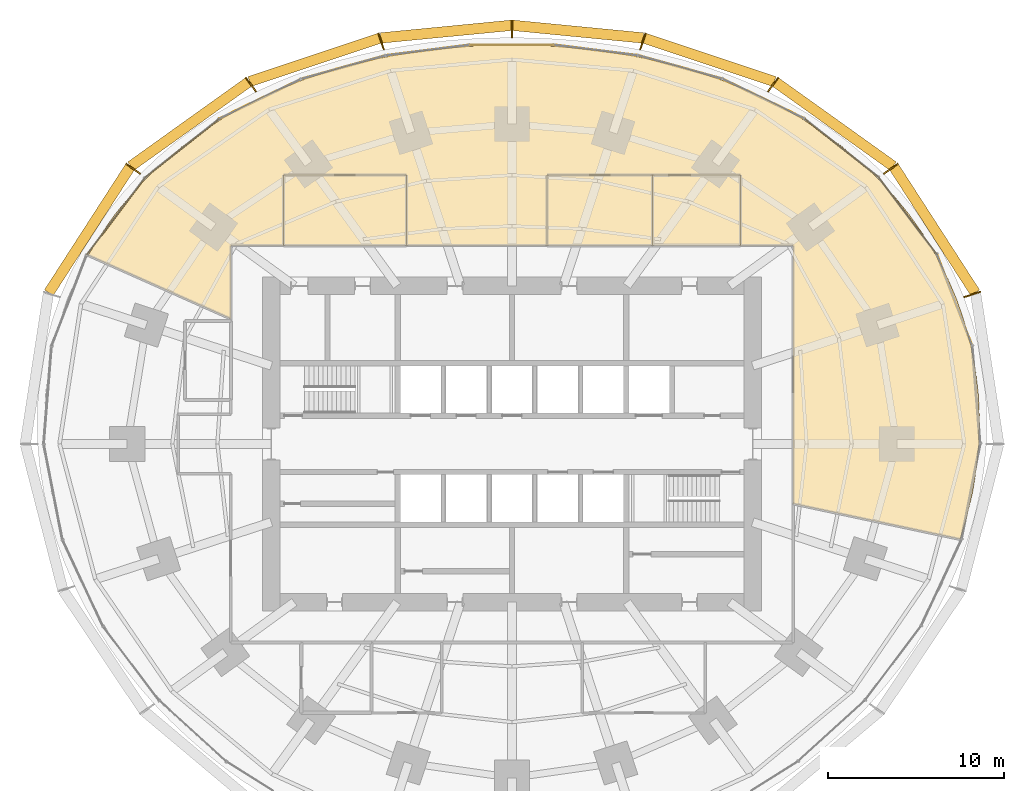
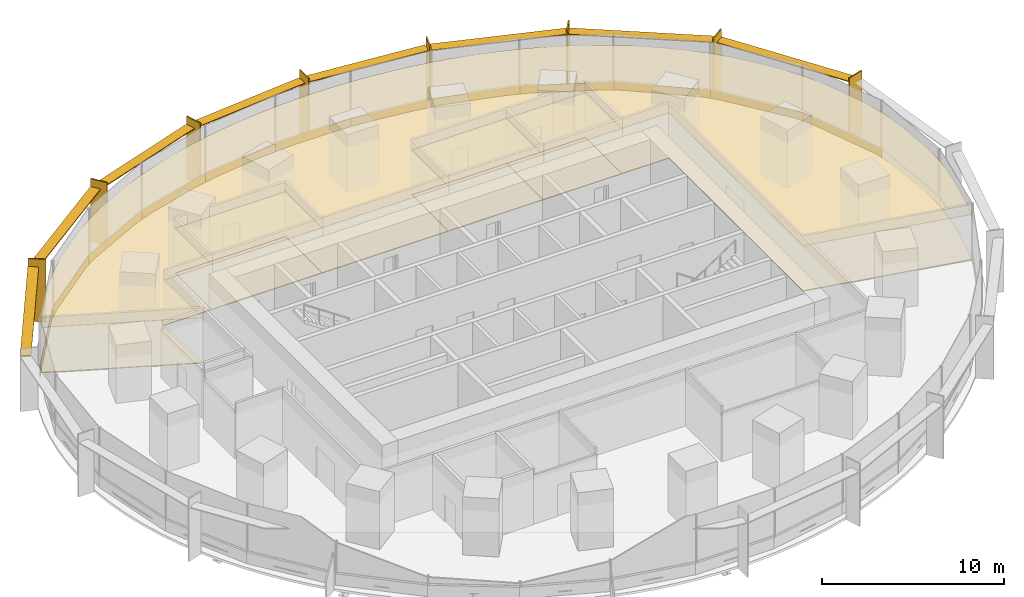
# One storey, part 15 of 15: 20 coverings, 16 shading devices.
"""IFC4 building model written with IfcOpenShell, lengths in metres."""

import ifcopenshell
import ifcopenshell.guid

model = None  # the IFC model being written
_history = None  # IfcOwnerHistory: only IFC2X3 demands one
_inside = {}  # id of a spatial element -> (the spatial element, [elements in it])
_under = {}  # id of a project, library or spatial element -> (it, [spatial elements below it])
_declared = {}  # id of a project -> (the project, [libraries it declares])
_typed = {}  # id of a type object -> (the type object, [elements of that type])
_made_of = {}  # id of a material, layer set ... -> (it, [elements and type objects made of it])


def new_model(schema):
    """Start an empty IFC model of exactly this schema.

    Asked for "IFC4X3", IfcOpenShell would pick the latest addendum, in which some entities
    have other attributes; the version numbers below select the first issue.
    IFC2X3 requires an IfcOwnerHistory on every rooted entity: one is made here for all.
    """
    global model, _history
    if schema == "IFC4X3":
        model = ifcopenshell.file(schema_version=(4, 3, 0, 0))
    else:
        model = ifcopenshell.file(schema=schema)
    _inside.clear()
    _under.clear()
    _declared.clear()
    _typed.clear()
    _made_of.clear()
    _history = None
    if model.schema == "IFC2X3":
        org = make("IfcOrganization", Name="unknown")
        user = make(
            "IfcPersonAndOrganization",
            ThePerson=make("IfcPerson", FamilyName="unknown"),
            TheOrganization=org,
        )
        app = make(
            "IfcApplication",
            ApplicationDeveloper=org,
            Version="unknown",
            ApplicationFullName="unknown",
            ApplicationIdentifier="unknown",
        )
        _history = make(
            "IfcOwnerHistory",
            OwningUser=user,
            OwningApplication=app,
            ChangeAction="ADDED",
            CreationDate=0,
        )
    return model


def make(cls, **values):
    """One entity of the class cls with the attributes given. An attribute that is None is left unset."""
    return model.create_entity(
        cls, **{name: value for name, value in values.items() if value is not None}
    )


def rooted(cls, **values):
    """An entity with a GlobalId (a new one), such as an element, a storey or a relation."""
    return make(cls, GlobalId=ifcopenshell.guid.new(), OwnerHistory=_history, **values)


def si_unit(unit_type, name, prefix=None):
    """IfcSIUnit, for example si_unit("LENGTHUNIT", "METRE", prefix="MILLI")."""
    return make("IfcSIUnit", UnitType=unit_type, Prefix=prefix, Name=name)


def assignment(units):
    """IfcUnitAssignment: the units of a project."""
    return None if units is None else make("IfcUnitAssignment", Units=units)


def point(xyz):
    """IfcCartesianPoint."""
    return None if xyz is None else make("IfcCartesianPoint", Coordinates=xyz)


def direction(xyz):
    """IfcDirection."""
    return None if xyz is None else make("IfcDirection", DirectionRatios=xyz)


def frame(location, z_axis=None, x_axis=None):
    """IfcAxis2Placement3D, a coordinate frame: its origin and axes. An axis left out is left unset."""
    return make(
        "IfcAxis2Placement3D",
        Location=point(location),
        Axis=direction(z_axis),
        RefDirection=direction(x_axis),
    )


def frame_2d(location, x_axis=None):
    """IfcAxis2Placement2D, a coordinate frame in the plane: its origin and x axis."""
    return make(
        "IfcAxis2Placement2D", Location=point(location), RefDirection=direction(x_axis)
    )


def origin():
    """The frame at (0, 0, 0) with its axes left unset."""
    return frame((0.0, 0.0, 0.0))


def origin_2d():
    """The frame at (0, 0) in the plane with its x axis left unset."""
    return frame_2d((0.0, 0.0))


def place(relative_to, where):
    """IfcLocalPlacement: puts the frame where relative to a parent placement (None: the world)."""
    return make(
        "IfcLocalPlacement", PlacementRelTo=relative_to, RelativePlacement=where
    )


def context(
    kind, dimensions, precision=None, world=None, true_north=None, identifier=None
):
    """IfcGeometricRepresentationContext, for example the 3D "Model" context."""
    return make(
        "IfcGeometricRepresentationContext",
        ContextIdentifier=identifier,
        ContextType=kind,
        CoordinateSpaceDimension=dimensions,
        Precision=precision,
        WorldCoordinateSystem=world,
        TrueNorth=true_north,
    )


def subcontext(parent, identifier, kind, view, scale=None):
    """IfcGeometricRepresentationSubContext, for example "Body" below "Model"."""
    return make(
        "IfcGeometricRepresentationSubContext",
        ContextIdentifier=identifier,
        ContextType=kind,
        ParentContext=parent,
        TargetScale=scale,
        TargetView=view,
    )


def project(units=None, contexts=None):
    """IfcProject with its units and contexts."""
    return rooted(
        "IfcProject",
        Name="project",
        RepresentationContexts=contexts,
        UnitsInContext=assignment(units),
    )


def spatial(cls, under=None, at=None, **own):
    """A site, building, storey or space (cls), placed at a placement, below another one or the project."""
    s = rooted(cls, ObjectPlacement=at, **own)
    if under is not None:
        _under.setdefault(under.id(), (under, []))[1].append(s)
    return s


def polyline(points):
    """IfcPolyline through the points."""
    return make("IfcPolyline", Points=[point(p) for p in points])


def profile(cls, at=None, kind="AREA", **sizes):
    """A parametric profile (cls). Its sizes go by their IFC names, for example OverallWidth=200.0."""
    return make(cls, ProfileType=kind, Position=at, **sizes)


def rectangle(**sizes):
    """IfcRectangleProfileDef."""
    return profile("IfcRectangleProfileDef", **sizes)


def outline(outer, holes=None, kind="AREA"):
    """IfcArbitraryClosedProfileDef: a profile drawn as a closed curve; with holes, ...WithVoids."""
    if holes is None:
        return make("IfcArbitraryClosedProfileDef", ProfileType=kind, OuterCurve=outer)
    return make(
        "IfcArbitraryProfileDefWithVoids",
        ProfileType=kind,
        OuterCurve=outer,
        InnerCurves=holes,
    )


def extrude(swept, where, along, depth):
    """IfcExtrudedAreaSolid: the profile swept, set in the frame where, extruded along a direction by depth."""
    return make(
        "IfcExtrudedAreaSolid",
        SweptArea=swept,
        Position=where,
        ExtrudedDirection=direction(along),
        Depth=depth,
    )


def shape(context_of_items, identifier, shape_type, items):
    """IfcShapeRepresentation: the items that make up one representation, for example the "Body"."""
    return make(
        "IfcShapeRepresentation",
        ContextOfItems=context_of_items,
        RepresentationIdentifier=identifier,
        RepresentationType=shape_type,
        Items=items,
    )


def material(Name=None, Category=None):
    """IfcMaterial."""
    return make("IfcMaterial", Name=Name, Category=Category)


def layer(
    of_material, thickness, ventilated=None, Name=None, Category=None, Priority=None
):
    """IfcMaterialLayer: one layer of a wall or slab, of a material (None: an air gap)."""
    return make(
        "IfcMaterialLayer",
        Material=of_material,
        LayerThickness=thickness,
        IsVentilated=ventilated,
        Name=Name,
        Category=Category,
        Priority=Priority,
    )


def layer_set(layers, Name=None):
    """IfcMaterialLayerSet."""
    return make("IfcMaterialLayerSet", MaterialLayers=layers, LayerSetName=Name)


def made_of(thing, what):
    """Note that an element or type object is made of a material, layer set ...; save() writes the relation."""
    if what is not None:
        _made_of.setdefault(what.id(), (what, []))[1].append(thing)
    return thing


def type_object(cls, material=None, **own):
    """A type object (cls), such as IfcWallType, which elements share."""
    return made_of(rooted(cls, **own), material)


def element(
    cls,
    number,
    at=None,
    inside=None,
    cuts=None,
    type_object=None,
    material=None,
    context=None,
    identifier="Body",
    shape_type=None,
    held_by="IfcProductDefinitionShape",
    body=None,
    shapes=None,
    **own,
):
    """One element of the class cls, such as IfcWall. Its Tag is "e" and its number.

    at: its placement. inside: the storey or other place that contains it. cuts: it is an
    opening in that element (IfcRelVoidsElement). A single representation is given by context,
    identifier, shape_type and body (its items); several are given by shapes. held_by: the class
    of the entity that holds the representations. save() writes the other relations.
    """
    e = rooted(cls, Tag="e%d" % number, ObjectPlacement=at, **own)
    if body is not None:
        shapes = [shape(context, identifier, shape_type, body)]
    if shapes is not None:
        e.Representation = make(held_by, Representations=shapes)
    if inside is not None:
        _inside.setdefault(inside.id(), (inside, []))[1].append(e)
    if cuts is not None:
        rooted(
            "IfcRelVoidsElement", RelatingBuildingElement=cuts, RelatedOpeningElement=e
        )
    if type_object is not None:
        _typed.setdefault(type_object.id(), (type_object, []))[1].append(e)
    return made_of(e, material)


def aggregate(whole, parts):
    """IfcRelAggregates: a whole, such as a stair, and the parts it consists of."""
    return rooted("IfcRelAggregates", RelatingObject=whole, RelatedObjects=parts)


def save(model, path):
    """Write the relations noted so far, then the file.

    IfcRelAggregates (storeys below a building ...), IfcRelContainedInSpatialStructure (elements
    in a storey), IfcRelDefinesByType, IfcRelAssociatesMaterial and IfcRelDeclares: one each for
    every whole, place, type object, material and project.
    """
    for whole, parts in _under.values():
        aggregate(whole, parts)
    for where, things in _inside.values():
        rooted(
            "IfcRelContainedInSpatialStructure",
            RelatedElements=things,
            RelatingStructure=where,
        )
    for kind, things in _typed.values():
        rooted("IfcRelDefinesByType", RelatedObjects=things, RelatingType=kind)
    for what, things in _made_of.values():
        rooted("IfcRelAssociatesMaterial", RelatedObjects=things, RelatingMaterial=what)
    for by, libraries in _declared.values():
        rooted("IfcRelDeclares", RelatingContext=by, RelatedDefinitions=libraries)
    model.write(path)


model = new_model("IFC4")

# Units and contexts
model_context = context("Model", 3, precision=1e-05, world=origin(), true_north=direction((0.0, 1.0)))
body_context = subcontext(model_context, "Body", "Model", "MODEL_VIEW")
ifc_project = project(units=[si_unit("LENGTHUNIT", "METRE"), si_unit("AREAUNIT", "SQUARE_METRE"), si_unit("VOLUMEUNIT", "CUBIC_METRE"), si_unit("PLANEANGLEUNIT", "RADIAN"), si_unit("MASSUNIT", "GRAM", prefix="KILO")], contexts=[model_context])

# Site, building, storey
site_placement = place(None, origin())
site = spatial("IfcSite", under=ifc_project, at=site_placement, CompositionType="ELEMENT")
building_placement = place(site_placement, origin())
building = spatial("IfcBuilding", under=site, at=building_placement, Name="Marramba Exchange Tower", CompositionType="ELEMENT")
storey_placement = place(building_placement, frame((0.0, 0.0, 40.60009765625)))
storey = spatial("IfcBuildingStorey", under=building, at=storey_placement, Name="L09", CompositionType="ELEMENT", Elevation=40.60009765625)

# Shading devices
ifc_material_1 = material(Name="Aluminium blade, timber-look bronze finish", Category="wood")
ifc_layer_1 = layer(ifc_material_1, 0.080078125)
ifc_layer_set_1 = layer_set([ifc_layer_1], Name="Floor-edge blade 1000x80")
shading_device_type_1 = type_object("IfcShadingDeviceType", Name="Floor-edge blade 1000x80", PredefinedType="USERDEFINED", material=ifc_layer_set_1)
for number, where, z_axis, x_axis, name in (
    (1, (26.193115234375, 8.5107421875, -0.16015625), (0.0, 0.0, 1.0), (0.951056516295, 0.309016994375, 0.0), "Floor-edge blade FB1 L09 TC02"),
    (2, (21.56298828125, 15.66650390625, -0.16015625), (0.0, 0.0, 1.0), (0.809016994375, 0.587785252292, 0.0), "Floor-edge blade FB1 L09 TC03"),
    (3, (14.857666015625, 20.449951171875, -0.16015625), (0.0, 0.0, 1.0), (0.587785252292, 0.809016994375, 0.0), "Floor-edge blade FB1 L09 TC04"),
    (4, (7.444091796875, 22.910888671875, -0.16015625), (0.0, 0.0, 1.0), (0.309016994375, 0.951056516295, 0.0), "Floor-edge blade FB1 L09 TC05"),
    (5, (0.0, 23.6279296875, -0.16015625), (0.0, 0.0, 1.0), (0.0, 1.0, 0.0), "Floor-edge blade FB1 L09 TC06"),
    (6, (-7.444091796875, 22.910888671875, -0.16015625), (0.0, 0.0, 1.0), (-0.309016994375, 0.951056516295, 0.0), "Floor-edge blade FB1 L09 TC07"),
    (7, (-14.857666015625, 20.449951171875, -0.16015625), (0.0, 0.0, 1.0), (-0.587785252292, 0.809016994375, 0.0), "Floor-edge blade FB1 L09 TC08"),
    (8, (-21.56298828125, 15.66650390625, -0.16015625), (0.0, 0.0, 1.0), (-0.809016994375, 0.587785252292, 0.0), "Floor-edge blade FB1 L09 TC09"),
):
    element("IfcShadingDevice", number, at=place(storey_placement, frame(where, z_axis=z_axis, x_axis=x_axis)), inside=storey, type_object=shading_device_type_1, Name=name, ObjectType="FIN", PredefinedType="USERDEFINED", context=body_context, shape_type="SweptSolid", body=[
        extrude(rectangle(XDim=1.0, YDim=0.080078125, at=origin_2d()), origin(), (0.0, 0.0, 1.0), 4.199951171875),
    ])

# Coverings
ifc_material_2 = material(Name="Steel raised access floor panels", Category="steel")
ifc_layer_2 = layer(ifc_material_2, 0.050048828125)
ifc_layer_set_2 = layer_set([ifc_layer_2], Name="Raised access floor 300")
covering_type_1 = type_object("IfcCoveringType", Name="Raised access floor 300", PredefinedType="FLOORING", material=ifc_layer_set_2)
covering_1_placement = place(storey_placement, frame((0.0, 0.0, 0.25)))
element("IfcCovering", 9, at=covering_1_placement, inside=storey, type_object=covering_type_1, Name="Raised access floor RAF1 L09 Trading Floor 1", PredefinedType="FLOORING", context=body_context, shape_type="SweptSolid", body=[
    extrude(outline(polyline([(13.0, 11.300048828125), (13.0, 15.300048828125), (8.0, 15.300048828125), (2.0, 15.300048828125), (2.0, 11.300048828125), (-6.0, 11.300048828125), (-6.0, 15.300048828125), (-13.0, 15.300048828125), (-13.0, 11.300048828125), (-16.0, 11.300048828125), (-16.0, 7.123779296875), (-24.12353515625, 10.740478515625), (-23.40380859375, 11.9248046875), (-22.607177734375, 13.05224609375), (-21.740478515625, 14.118408203125), (-20.810791015625, 15.119873046875), (-19.8251953125, 16.05419921875), (-18.791259765625, 16.919677734375), (-17.71630859375, 17.71630859375), (-16.60693359375, 18.44384765625), (-15.4697265625, 19.103759765625), (-14.31103515625, 19.697509765625), (-13.135986328125, 20.2275390625), (-11.94921875, 20.69677734375), (-10.755126953125, 21.10791015625), (-9.556640625, 21.464599609375), (-8.356689453125, 21.76953125), (-7.15673828125, 22.0263671875), (-5.95849609375, 22.23779296875), (-4.7626953125, 22.406982421875), (-3.5693359375, 22.535888671875), (-2.378173828125, 22.62646484375), (-1.188720703125, 22.68017578125), (0.0, 22.697998046875), (1.188720703125, 22.68017578125), (2.378173828125, 22.62646484375), (3.5693359375, 22.535888671875), (4.7626953125, 22.406982421875), (5.95849609375, 22.23779296875), (7.15673828125, 22.0263671875), (8.356689453125, 21.76953125), (9.556640625, 21.464599609375), (10.755126953125, 21.10791015625), (11.94921875, 20.69677734375), (13.135986328125, 20.2275390625), (14.31103515625, 19.697509765625), (15.4697265625, 19.103759765625), (16.60693359375, 18.44384765625), (17.71630859375, 17.71630859375), (18.791259765625, 16.919677734375), (19.8251953125, 16.05419921875), (20.810791015625, 15.119873046875), (21.740478515625, 14.118408203125), (22.607177734375, 13.05224609375), (23.40380859375, 11.9248046875), (24.12353515625, 10.740478515625), (24.76025390625, 9.50439453125), (25.30859375, 8.22314453125), (25.763916015625, 6.9033203125), (26.123291015625, 5.552734375), (26.3837890625, 4.1787109375), (26.544921875, 2.7900390625), (26.6064453125, 1.394287109375), (26.570068359375, 0.0), (26.43798828125, -1.385498046875), (26.213623046875, -2.755126953125), (25.9013671875, -4.102294921875), (25.50634765625, -5.421630859375), (16.0, -3.40087890625), (16.0, 11.300048828125), (13.0, 11.300048828125)])), origin(), (0.0, 0.0, 1.0), 0.0498046875),
])
covering_2_placement = place(storey_placement, frame((0.0, 0.0, 0.25)))
element("IfcCovering", 10, at=covering_2_placement, inside=storey, type_object=covering_type_1, Name="Raised access floor RAF1 L09 Meeting Room 1", PredefinedType="FLOORING", context=body_context, shape_type="SweptSolid", body=[
    extrude(outline(polyline([(8.0, 11.300048828125), (2.0, 11.300048828125), (2.0, 15.300048828125), (8.0, 15.300048828125), (8.0, 11.300048828125)])), origin(), (0.0, 0.0, 1.0), 0.0498046875),
])
covering_3_placement = place(storey_placement, frame((0.0, 0.0, 0.25)))
element("IfcCovering", 11, at=covering_3_placement, inside=storey, type_object=covering_type_1, Name="Raised access floor RAF1 L09 Data Room 1", PredefinedType="FLOORING", context=body_context, shape_type="SweptSolid", body=[
    extrude(outline(polyline([(13.0, 11.300048828125), (8.0, 11.300048828125), (8.0, 15.300048828125), (13.0, 15.300048828125), (13.0, 11.300048828125)])), origin(), (0.0, 0.0, 1.0), 0.0498046875),
])
covering_4_placement = place(storey_placement, frame((0.0, 0.0, 0.25)))
element("IfcCovering", 12, at=covering_4_placement, inside=storey, type_object=covering_type_1, Name="Raised access floor RAF1 L09 Meeting Room 2", PredefinedType="FLOORING", context=body_context, shape_type="SweptSolid", body=[
    extrude(outline(polyline([(-6.0, 11.300048828125), (-13.0, 11.300048828125), (-13.0, 15.300048828125), (-6.0, 15.300048828125), (-6.0, 11.300048828125)])), origin(), (0.0, 0.0, 1.0), 0.0498046875),
])

# Shading devices
ifc_material_3 = material(Name="Aluminium sunshade, bronze anodised", Category="aluminium")
ifc_layer_3 = layer(ifc_material_3, 0.06005859375)
ifc_layer_set_3 = layer_set([ifc_layer_3], Name="SUNSHADE blade 600x60")
shading_device_type_2 = type_object("IfcShadingDeviceType", Name="SUNSHADE blade 600x60", PredefinedType="USERDEFINED", material=ifc_layer_set_3)
shading_device_1_placement = place(storey_placement, frame((24.053955078125, 12.17822265625, 3.4599609375), z_axis=(0.0, 0.0, 1.0), x_axis=(-0.542596596948, 0.839993412462, 0.0)))
element("IfcShadingDevice", 13, at=shading_device_1_placement, inside=storey, type_object=shading_device_type_2, Name="Sunshade SS1 L09 bay 02", ObjectType="SUNSHADE", PredefinedType="USERDEFINED", context=body_context, shape_type="SweptSolid", body=[
    extrude(rectangle(XDim=8.50537109375, YDim=0.60009765625, at=origin_2d()), origin(), (0.0, 0.0, 1.0), 0.06005859375),
])
shading_device_2_placement = place(storey_placement, frame((18.35009765625, 18.19775390625, 3.4599609375), z_axis=(0.0, 0.0, 1.0), x_axis=(-0.813362978246, 0.581756534659, 0.0)))
element("IfcShadingDevice", 14, at=shading_device_2_placement, inside=storey, type_object=shading_device_type_2, Name="Sunshade SS1 L09 bay 03", ObjectType="SUNSHADE", PredefinedType="USERDEFINED", context=body_context, shape_type="SweptSolid", body=[
    extrude(rectangle(XDim=8.218505859375, YDim=0.60009765625, at=origin_2d()), origin(), (0.0, 0.0, 1.0), 0.06005859375),
])
shading_device_3_placement = place(storey_placement, frame((11.24072265625, 21.8564453125, 3.4599609375), z_axis=(0.0, 0.0, 1.0), x_axis=(-0.948697789537, 0.316184288235, 0.0)))
element("IfcShadingDevice", 15, at=shading_device_3_placement, inside=storey, type_object=shading_device_type_2, Name="Sunshade SS1 L09 bay 04", ObjectType="SUNSHADE", PredefinedType="USERDEFINED", context=body_context, shape_type="SweptSolid", body=[
    extrude(rectangle(XDim=7.793212890625, YDim=0.60009765625, at=origin_2d()), origin(), (0.0, 0.0, 1.0), 0.06005859375),
])
for number, where, z_axis, x_axis, name in (
    (16, (3.7529296875, 23.464599609375, 3.4599609375), (0.0, 0.0, 1.0), (-0.995342876176, 0.096397919302, 0.0), "Sunshade SS1 L09 bay 05"),
    (17, (-3.7529296875, 23.464599609375, 3.4599609375), (0.0, 0.0, 1.0), (-0.995342876176, -0.096397919302, 0.0), "Sunshade SS1 L09 bay 06"),
):
    element("IfcShadingDevice", number, at=place(storey_placement, frame(where, z_axis=z_axis, x_axis=x_axis)), inside=storey, type_object=shading_device_type_2, Name=name, ObjectType="SUNSHADE", PredefinedType="USERDEFINED", context=body_context, shape_type="SweptSolid", body=[
        extrude(rectangle(XDim=7.461181640625, YDim=0.60009765625, at=origin_2d()), origin(), (0.0, 0.0, 1.0), 0.06005859375),
    ])
shading_device_4_placement = place(storey_placement, frame((-11.24072265625, 21.8564453125, 3.4599609375), z_axis=(0.0, 0.0, 1.0), x_axis=(-0.948697789537, -0.316184288235, 0.0)))
element("IfcShadingDevice", 18, at=shading_device_4_placement, inside=storey, type_object=shading_device_type_2, Name="Sunshade SS1 L09 bay 07", ObjectType="SUNSHADE", PredefinedType="USERDEFINED", context=body_context, shape_type="SweptSolid", body=[
    extrude(rectangle(XDim=7.793212890625, YDim=0.60009765625, at=origin_2d()), origin(), (0.0, 0.0, 1.0), 0.06005859375),
])
shading_device_5_placement = place(storey_placement, frame((-18.35009765625, 18.19775390625, 3.4599609375), z_axis=(0.0, 0.0, 1.0), x_axis=(-0.813362978246, -0.581756534659, 0.0)))
element("IfcShadingDevice", 19, at=shading_device_5_placement, inside=storey, type_object=shading_device_type_2, Name="Sunshade SS1 L09 bay 08", ObjectType="SUNSHADE", PredefinedType="USERDEFINED", context=body_context, shape_type="SweptSolid", body=[
    extrude(rectangle(XDim=8.218505859375, YDim=0.60009765625, at=origin_2d()), origin(), (0.0, 0.0, 1.0), 0.06005859375),
])
shading_device_6_placement = place(storey_placement, frame((-24.053955078125, 12.17822265625, 3.4599609375), z_axis=(0.0, 0.0, 1.0), x_axis=(-0.542596596948, -0.839993412462, 0.0)))
element("IfcShadingDevice", 20, at=shading_device_6_placement, inside=storey, type_object=shading_device_type_2, Name="Sunshade SS1 L09 bay 09", ObjectType="SUNSHADE", PredefinedType="USERDEFINED", context=body_context, shape_type="SweptSolid", body=[
    extrude(rectangle(XDim=8.50537109375, YDim=0.60009765625, at=origin_2d()), origin(), (0.0, 0.0, 1.0), 0.06005859375),
])

# Coverings
ifc_material_4 = material(Name="Aluminium spandrel panel, bronze anodised, insulated", Category="aluminium")
ifc_layer_4 = layer(ifc_material_4, 0.050048828125)
ifc_layer_set_4 = layer_set([ifc_layer_4], Name="Spandrel panel 800")
covering_type_2 = type_object("IfcCoveringType", Name="Spandrel panel 800", PredefinedType="CLADDING", material=ifc_layer_set_4)
covering_5_placement = place(storey_placement, frame((25.198974609375, 8.171142578125, 0.0), z_axis=(0.0, 0.0, 1.0), x_axis=(-0.359525512701, 0.933135255854, 0.0)))
element("IfcCovering", 21, at=covering_5_placement, inside=storey, type_object=covering_type_2, Name="Spandrel panel SP1 L09 F02", PredefinedType="CLADDING", context=body_context, shape_type="SweptSolid", body=[
    extrude(rectangle(XDim=5.57666015625, YDim=0.050048828125, at=origin_2d()), origin(), (0.0, 0.0, 1.0), 0.800048828125),
])
covering_6_placement = place(storey_placement, frame((22.535888671875, 12.969970703125, 0.0), z_axis=(0.0, 0.0, 1.0), x_axis=(-0.602989761876, 0.797748924834, 0.0)))
element("IfcCovering", 22, at=covering_6_placement, inside=storey, type_object=covering_type_2, Name="Spandrel panel SP1 L09 F03", PredefinedType="CLADDING", context=body_context, shape_type="SweptSolid", body=[
    extrude(rectangle(XDim=5.5078125, YDim=0.050048828125, at=origin_2d()), origin(), (0.0, 0.0, 1.0), 0.800048828125),
])
covering_7_placement = place(storey_placement, frame((18.767822265625, 16.8349609375, 0.0), z_axis=(0.0, 0.0, 1.0), x_axis=(-0.784087946735, 0.620649733574, 0.0)))
element("IfcCovering", 23, at=covering_7_placement, inside=storey, type_object=covering_type_2, Name="Spandrel panel SP1 L09 F04", PredefinedType="CLADDING", context=body_context, shape_type="SweptSolid", body=[
    extrude(rectangle(XDim=5.375732421875, YDim=0.050048828125, at=origin_2d()), origin(), (0.0, 0.0, 1.0), 0.800048828125),
])
covering_8_placement = place(storey_placement, frame((14.324951171875, 19.634765625, 0.0), z_axis=(0.0, 0.0, 1.0), x_axis=(-0.899963432359, 0.435965389012, 0.0)))
element("IfcCovering", 24, at=covering_8_placement, inside=storey, type_object=covering_type_2, Name="Spandrel panel SP1 L09 F05", PredefinedType="CLADDING", context=body_context, shape_type="SweptSolid", body=[
    extrude(rectangle(XDim=5.1904296875, YDim=0.050048828125, at=origin_2d()), origin(), (0.0, 0.0, 1.0), 0.800048828125),
])
covering_9_placement = place(storey_placement, frame((9.58544921875, 21.434326171875, 0.0), z_axis=(0.0, 0.0, 1.0), x_axis=(-0.963472098411, 0.267808729475, 0.0)))
element("IfcCovering", 25, at=covering_9_placement, inside=storey, type_object=covering_type_2, Name="Spandrel panel SP1 L09 F06", PredefinedType="CLADDING", context=body_context, shape_type="SweptSolid", body=[
    extrude(rectangle(XDim=4.989990234375, YDim=0.050048828125, at=origin_2d()), origin(), (0.0, 0.0, 1.0), 0.800048828125),
])
covering_10_placement = place(storey_placement, frame((4.783935546875, 22.404296875, 0.0), z_axis=(0.0, 0.0, 1.0), x_axis=(-0.992172768222, 0.124872727203, 0.0)))
element("IfcCovering", 26, at=covering_10_placement, inside=storey, type_object=covering_type_2, Name="Spandrel panel SP1 L09 F07", PredefinedType="CLADDING", context=body_context, shape_type="SweptSolid", body=[
    extrude(rectangle(XDim=4.832763671875, YDim=0.050048828125, at=origin_2d()), origin(), (0.0, 0.0, 1.0), 0.800048828125),
])
covering_11_placement = place(storey_placement, frame((0.0, 22.7060546875, 0.0), z_axis=(0.0, 0.0, 1.0), x_axis=(-1.0, 0.0, 0.0)))
element("IfcCovering", 27, at=covering_11_placement, inside=storey, type_object=covering_type_2, Name="Spandrel panel SP1 L09 F08", PredefinedType="CLADDING", context=body_context, shape_type="SweptSolid", body=[
    extrude(rectangle(XDim=4.77294921875, YDim=0.050048828125, at=origin_2d()), origin(), (0.0, 0.0, 1.0), 0.800048828125),
])
covering_12_placement = place(storey_placement, frame((-4.783935546875, 22.404296875, 0.0), z_axis=(0.0, 0.0, 1.0), x_axis=(-0.992172768222, -0.124872727203, 0.0)))
element("IfcCovering", 28, at=covering_12_placement, inside=storey, type_object=covering_type_2, Name="Spandrel panel SP1 L09 F09", PredefinedType="CLADDING", context=body_context, shape_type="SweptSolid", body=[
    extrude(rectangle(XDim=4.832763671875, YDim=0.050048828125, at=origin_2d()), origin(), (0.0, 0.0, 1.0), 0.800048828125),
])
covering_13_placement = place(storey_placement, frame((-9.58544921875, 21.434326171875, 0.0), z_axis=(0.0, 0.0, 1.0), x_axis=(-0.963472098411, -0.267808729475, 0.0)))
element("IfcCovering", 29, at=covering_13_placement, inside=storey, type_object=covering_type_2, Name="Spandrel panel SP1 L09 F10", PredefinedType="CLADDING", context=body_context, shape_type="SweptSolid", body=[
    extrude(rectangle(XDim=4.989990234375, YDim=0.050048828125, at=origin_2d()), origin(), (0.0, 0.0, 1.0), 0.800048828125),
])
covering_14_placement = place(storey_placement, frame((-14.324951171875, 19.634765625, 0.0), z_axis=(0.0, 0.0, 1.0), x_axis=(-0.899963432359, -0.435965389012, 0.0)))
element("IfcCovering", 30, at=covering_14_placement, inside=storey, type_object=covering_type_2, Name="Spandrel panel SP1 L09 F11", PredefinedType="CLADDING", context=body_context, shape_type="SweptSolid", body=[
    extrude(rectangle(XDim=5.1904296875, YDim=0.050048828125, at=origin_2d()), origin(), (0.0, 0.0, 1.0), 0.800048828125),
])
covering_15_placement = place(storey_placement, frame((-18.767822265625, 16.8349609375, 0.0), z_axis=(0.0, 0.0, 1.0), x_axis=(-0.784087946735, -0.620649733574, 0.0)))
element("IfcCovering", 31, at=covering_15_placement, inside=storey, type_object=covering_type_2, Name="Spandrel panel SP1 L09 F12", PredefinedType="CLADDING", context=body_context, shape_type="SweptSolid", body=[
    extrude(rectangle(XDim=5.375732421875, YDim=0.050048828125, at=origin_2d()), origin(), (0.0, 0.0, 1.0), 0.800048828125),
])
covering_16_placement = place(storey_placement, frame((-22.535888671875, 12.969970703125, 0.0), z_axis=(0.0, 0.0, 1.0), x_axis=(-0.602989761876, -0.797748924834, 0.0)))
element("IfcCovering", 32, at=covering_16_placement, inside=storey, type_object=covering_type_2, Name="Spandrel panel SP1 L09 F13", PredefinedType="CLADDING", context=body_context, shape_type="SweptSolid", body=[
    extrude(rectangle(XDim=5.5078125, YDim=0.050048828125, at=origin_2d()), origin(), (0.0, 0.0, 1.0), 0.800048828125),
])
ifc_material_5 = material(Name="Mineral fibre ceiling tiles", Category="gypsum")
ifc_layer_5 = layer(ifc_material_5, 0.02001953125)
ifc_layer_set_5 = layer_set([ifc_layer_5], Name="Suspended ceiling 20")
covering_type_3 = type_object("IfcCoveringType", Name="Suspended ceiling 20", PredefinedType="CEILING", material=ifc_layer_set_5)
covering_17_placement = place(storey_placement, frame((0.0, 0.0, 3.2998046875)))
element("IfcCovering", 33, at=covering_17_placement, inside=storey, type_object=covering_type_3, Name="Ceiling CL1 L09 Trading Floor 1", PredefinedType="CEILING", context=body_context, shape_type="SweptSolid", body=[
    extrude(outline(polyline([(13.0, 11.300048828125), (13.0, 15.300048828125), (8.0, 15.300048828125), (2.0, 15.300048828125), (2.0, 11.300048828125), (-6.0, 11.300048828125), (-6.0, 15.300048828125), (-13.0, 15.300048828125), (-13.0, 11.300048828125), (-16.0, 11.300048828125), (-16.0, 7.123779296875), (-24.12353515625, 10.740478515625), (-23.40380859375, 11.9248046875), (-22.607177734375, 13.05224609375), (-21.740478515625, 14.118408203125), (-20.810791015625, 15.119873046875), (-19.8251953125, 16.05419921875), (-18.791259765625, 16.919677734375), (-17.71630859375, 17.71630859375), (-16.60693359375, 18.44384765625), (-15.4697265625, 19.103759765625), (-14.31103515625, 19.697509765625), (-13.135986328125, 20.2275390625), (-11.94921875, 20.69677734375), (-10.755126953125, 21.10791015625), (-9.556640625, 21.464599609375), (-8.356689453125, 21.76953125), (-7.15673828125, 22.0263671875), (-5.95849609375, 22.23779296875), (-4.7626953125, 22.406982421875), (-3.5693359375, 22.535888671875), (-2.378173828125, 22.62646484375), (-1.188720703125, 22.68017578125), (0.0, 22.697998046875), (1.188720703125, 22.68017578125), (2.378173828125, 22.62646484375), (3.5693359375, 22.535888671875), (4.7626953125, 22.406982421875), (5.95849609375, 22.23779296875), (7.15673828125, 22.0263671875), (8.356689453125, 21.76953125), (9.556640625, 21.464599609375), (10.755126953125, 21.10791015625), (11.94921875, 20.69677734375), (13.135986328125, 20.2275390625), (14.31103515625, 19.697509765625), (15.4697265625, 19.103759765625), (16.60693359375, 18.44384765625), (17.71630859375, 17.71630859375), (18.791259765625, 16.919677734375), (19.8251953125, 16.05419921875), (20.810791015625, 15.119873046875), (21.740478515625, 14.118408203125), (22.607177734375, 13.05224609375), (23.40380859375, 11.9248046875), (24.12353515625, 10.740478515625), (24.76025390625, 9.50439453125), (25.30859375, 8.22314453125), (25.763916015625, 6.9033203125), (26.123291015625, 5.552734375), (26.3837890625, 4.1787109375), (26.544921875, 2.7900390625), (26.6064453125, 1.394287109375), (26.570068359375, 0.0), (26.43798828125, -1.385498046875), (26.213623046875, -2.755126953125), (25.9013671875, -4.102294921875), (25.50634765625, -5.421630859375), (16.0, -3.40087890625), (16.0, 11.300048828125), (13.0, 11.300048828125)])), origin(), (0.0, 0.0, 1.0), 0.02001953125),
])
covering_18_placement = place(storey_placement, frame((0.0, 0.0, 3.2998046875)))
element("IfcCovering", 34, at=covering_18_placement, inside=storey, type_object=covering_type_3, Name="Ceiling CL1 L09 Meeting Room 1", PredefinedType="CEILING", context=body_context, shape_type="SweptSolid", body=[
    extrude(outline(polyline([(8.0, 11.300048828125), (2.0, 11.300048828125), (2.0, 15.300048828125), (8.0, 15.300048828125), (8.0, 11.300048828125)])), origin(), (0.0, 0.0, 1.0), 0.02001953125),
])
covering_19_placement = place(storey_placement, frame((0.0, 0.0, 3.2998046875)))
element("IfcCovering", 35, at=covering_19_placement, inside=storey, type_object=covering_type_3, Name="Ceiling CL1 L09 Data Room 1", PredefinedType="CEILING", context=body_context, shape_type="SweptSolid", body=[
    extrude(outline(polyline([(13.0, 11.300048828125), (8.0, 11.300048828125), (8.0, 15.300048828125), (13.0, 15.300048828125), (13.0, 11.300048828125)])), origin(), (0.0, 0.0, 1.0), 0.02001953125),
])
covering_20_placement = place(storey_placement, frame((0.0, 0.0, 3.2998046875)))
element("IfcCovering", 36, at=covering_20_placement, inside=storey, type_object=covering_type_3, Name="Ceiling CL1 L09 Meeting Room 2", PredefinedType="CEILING", context=body_context, shape_type="SweptSolid", body=[
    extrude(outline(polyline([(-6.0, 11.300048828125), (-13.0, 11.300048828125), (-13.0, 15.300048828125), (-6.0, 15.300048828125), (-6.0, 11.300048828125)])), origin(), (0.0, 0.0, 1.0), 0.02001953125),
])

save(model, "model.ifc")
